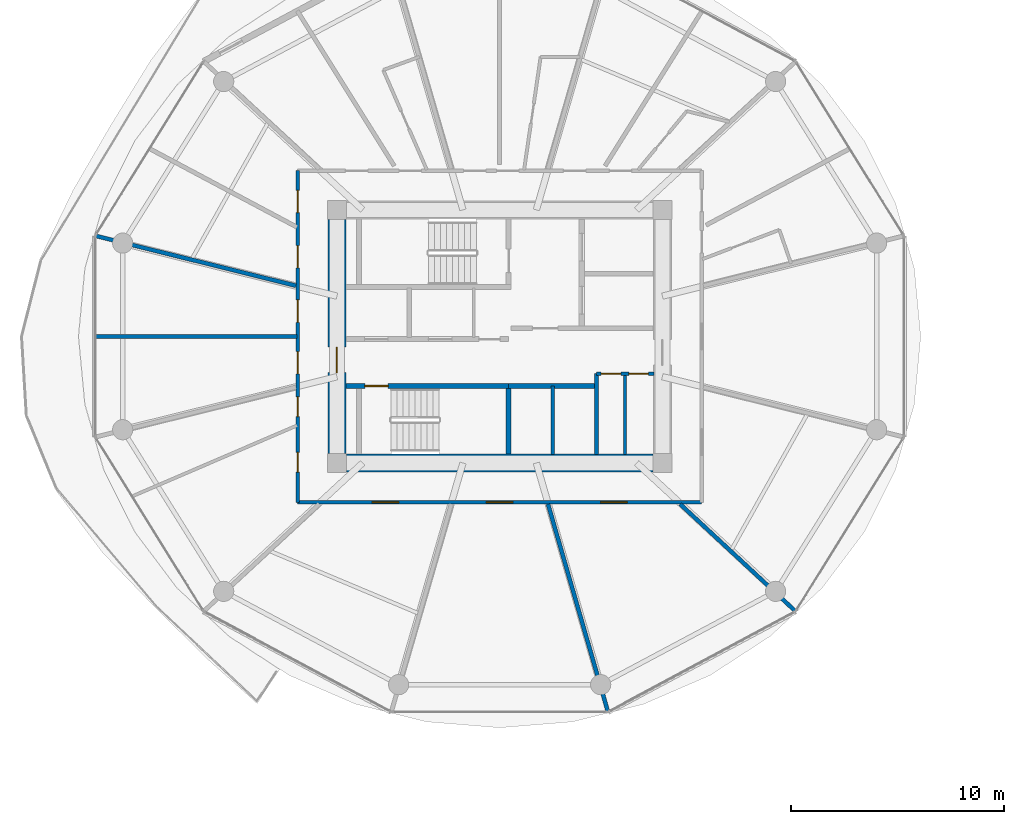
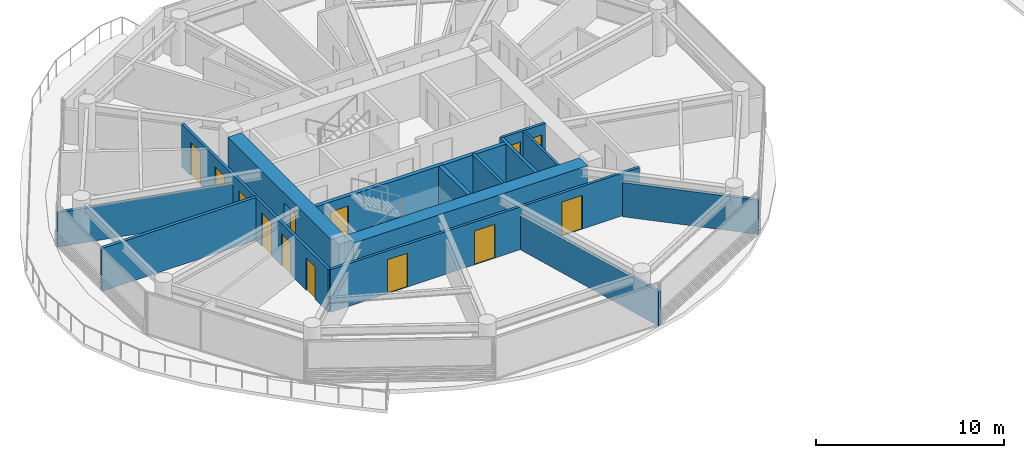
# One storey, part 15 of 27: 15 walls, 13 doors, 13 openings.
"""IFC4 building model written with IfcOpenShell, lengths in metres."""

import ifcopenshell
import ifcopenshell.guid

model = None  # the IFC model being written
_history = None  # IfcOwnerHistory: only IFC2X3 demands one
_inside = {}  # id of a spatial element -> (the spatial element, [elements in it])
_under = {}  # id of a project, library or spatial element -> (it, [spatial elements below it])
_declared = {}  # id of a project -> (the project, [libraries it declares])
_typed = {}  # id of a type object -> (the type object, [elements of that type])
_made_of = {}  # id of a material, layer set ... -> (it, [elements and type objects made of it])


def new_model(schema):
    """Start an empty IFC model of exactly this schema.

    Asked for "IFC4X3", IfcOpenShell would pick the latest addendum, in which some entities
    have other attributes; the version numbers below select the first issue.
    IFC2X3 requires an IfcOwnerHistory on every rooted entity: one is made here for all.
    """
    global model, _history
    if schema == "IFC4X3":
        model = ifcopenshell.file(schema_version=(4, 3, 0, 0))
    else:
        model = ifcopenshell.file(schema=schema)
    _inside.clear()
    _under.clear()
    _declared.clear()
    _typed.clear()
    _made_of.clear()
    _history = None
    if model.schema == "IFC2X3":
        org = make("IfcOrganization", Name="unknown")
        user = make(
            "IfcPersonAndOrganization",
            ThePerson=make("IfcPerson", FamilyName="unknown"),
            TheOrganization=org,
        )
        app = make(
            "IfcApplication",
            ApplicationDeveloper=org,
            Version="unknown",
            ApplicationFullName="unknown",
            ApplicationIdentifier="unknown",
        )
        _history = make(
            "IfcOwnerHistory",
            OwningUser=user,
            OwningApplication=app,
            ChangeAction="ADDED",
            CreationDate=0,
        )
    return model


def make(cls, **values):
    """One entity of the class cls with the attributes given. An attribute that is None is left unset."""
    return model.create_entity(
        cls, **{name: value for name, value in values.items() if value is not None}
    )


def rooted(cls, **values):
    """An entity with a GlobalId (a new one), such as an element, a storey or a relation."""
    return make(cls, GlobalId=ifcopenshell.guid.new(), OwnerHistory=_history, **values)


def si_unit(unit_type, name, prefix=None):
    """IfcSIUnit, for example si_unit("LENGTHUNIT", "METRE", prefix="MILLI")."""
    return make("IfcSIUnit", UnitType=unit_type, Prefix=prefix, Name=name)


def assignment(units):
    """IfcUnitAssignment: the units of a project."""
    return None if units is None else make("IfcUnitAssignment", Units=units)


def point(xyz):
    """IfcCartesianPoint."""
    return None if xyz is None else make("IfcCartesianPoint", Coordinates=xyz)


def direction(xyz):
    """IfcDirection."""
    return None if xyz is None else make("IfcDirection", DirectionRatios=xyz)


def frame(location, z_axis=None, x_axis=None):
    """IfcAxis2Placement3D, a coordinate frame: its origin and axes. An axis left out is left unset."""
    return make(
        "IfcAxis2Placement3D",
        Location=point(location),
        Axis=direction(z_axis),
        RefDirection=direction(x_axis),
    )


def frame_2d(location, x_axis=None):
    """IfcAxis2Placement2D, a coordinate frame in the plane: its origin and x axis."""
    return make(
        "IfcAxis2Placement2D", Location=point(location), RefDirection=direction(x_axis)
    )


def origin():
    """The frame at (0, 0, 0) with its axes left unset."""
    return frame((0.0, 0.0, 0.0))


def place(relative_to, where):
    """IfcLocalPlacement: puts the frame where relative to a parent placement (None: the world)."""
    return make(
        "IfcLocalPlacement", PlacementRelTo=relative_to, RelativePlacement=where
    )


def context(
    kind, dimensions, precision=None, world=None, true_north=None, identifier=None
):
    """IfcGeometricRepresentationContext, for example the 3D "Model" context."""
    return make(
        "IfcGeometricRepresentationContext",
        ContextIdentifier=identifier,
        ContextType=kind,
        CoordinateSpaceDimension=dimensions,
        Precision=precision,
        WorldCoordinateSystem=world,
        TrueNorth=true_north,
    )


def subcontext(parent, identifier, kind, view, scale=None):
    """IfcGeometricRepresentationSubContext, for example "Body" below "Model"."""
    return make(
        "IfcGeometricRepresentationSubContext",
        ContextIdentifier=identifier,
        ContextType=kind,
        ParentContext=parent,
        TargetScale=scale,
        TargetView=view,
    )


def project(units=None, contexts=None):
    """IfcProject with its units and contexts."""
    return rooted(
        "IfcProject",
        Name="project",
        RepresentationContexts=contexts,
        UnitsInContext=assignment(units),
    )


def spatial(cls, under=None, at=None, **own):
    """A site, building, storey or space (cls), placed at a placement, below another one or the project."""
    s = rooted(cls, ObjectPlacement=at, **own)
    if under is not None:
        _under.setdefault(under.id(), (under, []))[1].append(s)
    return s


def profile(cls, at=None, kind="AREA", **sizes):
    """A parametric profile (cls). Its sizes go by their IFC names, for example OverallWidth=200.0."""
    return make(cls, ProfileType=kind, Position=at, **sizes)


def rectangle(**sizes):
    """IfcRectangleProfileDef."""
    return profile("IfcRectangleProfileDef", **sizes)


def extrude(swept, where, along, depth):
    """IfcExtrudedAreaSolid: the profile swept, set in the frame where, extruded along a direction by depth."""
    return make(
        "IfcExtrudedAreaSolid",
        SweptArea=swept,
        Position=where,
        ExtrudedDirection=direction(along),
        Depth=depth,
    )


def shape(context_of_items, identifier, shape_type, items):
    """IfcShapeRepresentation: the items that make up one representation, for example the "Body"."""
    return make(
        "IfcShapeRepresentation",
        ContextOfItems=context_of_items,
        RepresentationIdentifier=identifier,
        RepresentationType=shape_type,
        Items=items,
    )


def source(mapping_origin, context_of_items, identifier, shape_type, items):
    """IfcRepresentationMap: a shape defined once, which mapped items show again and again."""
    return make(
        "IfcRepresentationMap",
        MappingOrigin=mapping_origin,
        MappedRepresentation=shape(context_of_items, identifier, shape_type, items),
    )


def transform(
    local_origin,
    x_axis=None,
    y_axis=None,
    z_axis=None,
    scale=None,
    scale2=None,
    scale3=None,
    uniform=True,
):
    """IfcCartesianTransformationOperator3D, or its non-uniform kind. x_axis, y_axis, z_axis: its Axis1, 2, 3."""
    if uniform:
        return make(
            "IfcCartesianTransformationOperator3D",
            Axis1=direction(x_axis),
            Axis2=direction(y_axis),
            LocalOrigin=point(local_origin),
            Scale=scale,
            Axis3=direction(z_axis),
        )
    return make(
        "IfcCartesianTransformationOperator3DnonUniform",
        Axis1=direction(x_axis),
        Axis2=direction(y_axis),
        LocalOrigin=point(local_origin),
        Scale=scale,
        Axis3=direction(z_axis),
        Scale2=scale2,
        Scale3=scale3,
    )


def mapped(mapping_source, mapping_target):
    """IfcMappedItem: shows the shape of a source again, moved by a transform."""
    return make(
        "IfcMappedItem", MappingSource=mapping_source, MappingTarget=mapping_target
    )


def material(Name=None, Category=None):
    """IfcMaterial."""
    return make("IfcMaterial", Name=Name, Category=Category)


def layer(
    of_material, thickness, ventilated=None, Name=None, Category=None, Priority=None
):
    """IfcMaterialLayer: one layer of a wall or slab, of a material (None: an air gap)."""
    return make(
        "IfcMaterialLayer",
        Material=of_material,
        LayerThickness=thickness,
        IsVentilated=ventilated,
        Name=Name,
        Category=Category,
        Priority=Priority,
    )


def layer_set(layers, Name=None):
    """IfcMaterialLayerSet."""
    return make("IfcMaterialLayerSet", MaterialLayers=layers, LayerSetName=Name)


def made_of(thing, what):
    """Note that an element or type object is made of a material, layer set ...; save() writes the relation."""
    if what is not None:
        _made_of.setdefault(what.id(), (what, []))[1].append(thing)
    return thing


def type_object(cls, material=None, **own):
    """A type object (cls), such as IfcWallType, which elements share."""
    return made_of(rooted(cls, **own), material)


def type_shapes(of_type, sources):
    """Give a type object the sources (RepresentationMaps) that its elements show as mapped items."""
    of_type.RepresentationMaps = sources


def element(
    cls,
    number,
    at=None,
    inside=None,
    cuts=None,
    type_object=None,
    material=None,
    context=None,
    identifier="Body",
    shape_type=None,
    held_by="IfcProductDefinitionShape",
    body=None,
    shapes=None,
    **own,
):
    """One element of the class cls, such as IfcWall. Its Tag is "e" and its number.

    at: its placement. inside: the storey or other place that contains it. cuts: it is an
    opening in that element (IfcRelVoidsElement). A single representation is given by context,
    identifier, shape_type and body (its items); several are given by shapes. held_by: the class
    of the entity that holds the representations. save() writes the other relations.
    """
    e = rooted(cls, Tag="e%d" % number, ObjectPlacement=at, **own)
    if body is not None:
        shapes = [shape(context, identifier, shape_type, body)]
    if shapes is not None:
        e.Representation = make(held_by, Representations=shapes)
    if inside is not None:
        _inside.setdefault(inside.id(), (inside, []))[1].append(e)
    if cuts is not None:
        rooted(
            "IfcRelVoidsElement", RelatingBuildingElement=cuts, RelatedOpeningElement=e
        )
    if type_object is not None:
        _typed.setdefault(type_object.id(), (type_object, []))[1].append(e)
    return made_of(e, material)


def fill(opening, filler):
    """IfcRelFillsElement: the door or window that sits in an opening."""
    return rooted(
        "IfcRelFillsElement",
        RelatingOpeningElement=opening,
        RelatedBuildingElement=filler,
    )


def aggregate(whole, parts):
    """IfcRelAggregates: a whole, such as a stair, and the parts it consists of."""
    return rooted("IfcRelAggregates", RelatingObject=whole, RelatedObjects=parts)


def save(model, path):
    """Write the relations noted so far, then the file.

    IfcRelAggregates (storeys below a building ...), IfcRelContainedInSpatialStructure (elements
    in a storey), IfcRelDefinesByType, IfcRelAssociatesMaterial and IfcRelDeclares: one each for
    every whole, place, type object, material and project.
    """
    for whole, parts in _under.values():
        aggregate(whole, parts)
    for where, things in _inside.values():
        rooted(
            "IfcRelContainedInSpatialStructure",
            RelatedElements=things,
            RelatingStructure=where,
        )
    for kind, things in _typed.values():
        rooted("IfcRelDefinesByType", RelatedObjects=things, RelatingType=kind)
    for what, things in _made_of.values():
        rooted("IfcRelAssociatesMaterial", RelatedObjects=things, RelatingMaterial=what)
    for by, libraries in _declared.values():
        rooted("IfcRelDeclares", RelatingContext=by, RelatedDefinitions=libraries)
    model.write(path)


model = new_model("IFC4")

# Units and contexts
model_context = context("Model", 3, precision=1e-05, world=origin(), true_north=direction((0.0, 1.0)))
body_context = subcontext(model_context, "Body", "Model", "MODEL_VIEW")
ifc_project = project(units=[si_unit("LENGTHUNIT", "METRE"), si_unit("AREAUNIT", "SQUARE_METRE"), si_unit("VOLUMEUNIT", "CUBIC_METRE"), si_unit("PLANEANGLEUNIT", "RADIAN"), si_unit("MASSUNIT", "GRAM", prefix="KILO")], contexts=[model_context])

# Site, building, storey
site_placement = place(None, origin())
site = spatial("IfcSite", under=ifc_project, at=site_placement, CompositionType="ELEMENT")
building_placement = place(site_placement, origin())
building = spatial("IfcBuilding", under=site, at=building_placement, Name="Norrkilde Senior Care Towers", CompositionType="ELEMENT")
storey_placement = place(building_placement, frame((0.0, 0.0, 33.800048828125)))
storey = spatial("IfcBuildingStorey", under=building, at=storey_placement, Name="L09", CompositionType="ELEMENT", Elevation=33.800048828125)

# Wall
ifc_material_1 = material(Name="Concrete C60/75", Category="concrete")
ifc_layer_1 = layer(ifc_material_1, 0.85009765625)
ifc_layer_set_1 = layer_set([ifc_layer_1], Name="Concrete C60/75")
wall_type_1 = type_object("IfcWallType", Name="Core Shear Wall Z1 850", PredefinedType="SHEAR", material=ifc_layer_set_1)
shared_shape_1 = source(origin(), body_context, "Body", "SweptSolid", [
    extrude(rectangle(XDim=14.39990234375, YDim=0.85009765625, at=frame_2d((7.199951171875, 0.0))), origin(), (0.0, 0.0, 1.0), 2.7900390625),
])
wall_1_placement = place(storey_placement, frame((-20.800048828125, -5.949951171875, 0.0), z_axis=(0.0, 0.0, 1.0), x_axis=(-1.0, 0.0, 0.0)))
element("IfcWall", 1, at=wall_1_placement, inside=storey, type_object=wall_type_1, Name="L09 Core W South Shear Wall", PredefinedType="SHEAR", context=body_context, shape_type="MappedRepresentation", body=[
    mapped(shared_shape_1, transform((0.0, 0.0, 0.0), x_axis=(1.0, 0.0, 0.0), y_axis=(0.0, 1.0, 0.0), z_axis=(0.0, 0.0, 1.0), scale=1.0)),
])

# Wall, opening, door
shared_shape_2 = source(origin(), body_context, "Body", "SweptSolid", [
    extrude(rectangle(XDim=11.0, YDim=0.85009765625, at=frame_2d((5.5, 0.0))), origin(), (0.0, 0.0, 1.0), 2.7900390625),
])
type_shapes(wall_type_1, [shared_shape_1, shared_shape_2])
wall_2_placement = place(storey_placement, frame((-35.64990234375, -5.5, 0.0), z_axis=(0.0, 0.0, 1.0), x_axis=(0.0, 1.0, 0.0)))
wall_2 = element("IfcWall", 2, at=wall_2_placement, inside=storey, type_object=wall_type_1, Name="L09 Core W West Shear Wall", PredefinedType="SHEAR", context=body_context, shape_type="MappedRepresentation", body=[
    mapped(shared_shape_2, transform((0.0, 0.0, 0.0), x_axis=(1.0, 0.0, 0.0), y_axis=(0.0, 1.0, 0.0), z_axis=(0.0, 0.0, 1.0), scale=1.0)),
])
opening_1_placement = place(wall_2_placement, frame((3.800048828125, 0.0, 0.0)))
opening_1 = element("IfcOpeningElement", 3, at=opening_1_placement, cuts=wall_2, Name="Opening D-04", PredefinedType="OPENING", context=body_context, shape_type="SweptSolid", body=[
    extrude(rectangle(XDim=1.199951171875, YDim=2.14990234375, at=frame_2d((0.60009765625, 1.074951171875))), frame((0.0, 0.43505859375, 0.0), z_axis=(0.0, -1.0, 0.0), x_axis=(1.0, 0.0, 0.0)), (0.0, 0.0, 1.0), 0.8701171875),
])
ifc_material_2 = material(Name="Galvanised Painted Steel", Category="steel")
door_type_1 = type_object("IfcDoorType", Name="Firefighting Lobby Fire Door 1200x2150", OperationType="NOTDEFINED", PredefinedType="DOOR", material=ifc_material_2)
shared_shape_3 = source(origin(), body_context, "Body", "SweptSolid", [
    extrude(rectangle(XDim=1.199951171875, YDim=2.14990234375, at=frame_2d((0.60009765625, 1.074951171875))), frame((0.0, 0.02490234375, 0.0), z_axis=(0.0, -1.0, 0.0), x_axis=(1.0, 0.0, 0.0)), (0.0, 0.0, 1.0), 0.050048828125),
])
type_shapes(door_type_1, [shared_shape_3])
door_1_placement = place(opening_1_placement, frame((1.199951171875, 0.0, 0.0), z_axis=(0.0, 0.0, 1.0), x_axis=(-1.0, 0.0, 0.0)))
door_1 = element("IfcDoor", 4, at=door_1_placement, inside=storey, type_object=door_type_1, Name="L09 Core W West Portal Door", OperationType="SINGLE_SWING_LEFT", OverallHeight=2.14990234375, OverallWidth=1.199951171875, PredefinedType="DOOR", context=body_context, shape_type="MappedRepresentation", body=[
    mapped(shared_shape_3, transform((0.0, 0.0, 0.0), x_axis=(1.0, 0.0, 0.0), y_axis=(0.0, 1.0, 0.0), z_axis=(0.0, 0.0, 1.0), scale=1.0)),
])
fill(opening_1, door_1)

# Walls
ifc_material_3 = material(Name="Concrete C45/55", Category="concrete")
ifc_layer_2 = layer(ifc_material_3, 0.199951171875)
ifc_layer_set_2 = layer_set([ifc_layer_2], Name="Concrete C45/55")
wall_type_2 = type_object("IfcWallType", Name="Shaft Division and Plant Partition 200", PredefinedType="PARTITIONING", material=ifc_layer_set_2)
shared_shape_4 = source(origin(), body_context, "Body", "SweptSolid", [
    extrude(rectangle(XDim=3.800048828125, YDim=0.199951171875, at=frame_2d((1.89990234375, 0.0))), origin(), (0.0, 0.0, 1.0), 2.77490234375),
])
type_shapes(wall_type_2, [shared_shape_4])
wall_3_placement = place(storey_placement, frame((-23.449951171875, -5.550048828125, 0.0), z_axis=(0.0, 0.0, 1.0), x_axis=(0.0, 1.0, 0.0)))
element("IfcWall", 5, at=wall_3_placement, inside=storey, type_object=wall_type_2, Name="WL-INT-L09-W-PKBE", PredefinedType="PARTITIONING", context=body_context, shape_type="MappedRepresentation", body=[
    mapped(shared_shape_4, transform((0.0, 0.0, 0.0), x_axis=(1.0, 0.0, 0.0), y_axis=(0.0, 1.0, 0.0), z_axis=(0.0, 0.0, 1.0), scale=1.0)),
])
ifc_layer_3 = layer(ifc_material_3, 0.239990234375)
ifc_layer_set_3 = layer_set([ifc_layer_3], Name="Concrete C45/55")
wall_type_3 = type_object("IfcWallType", Name="Lift and Plant Rated Enclosure Partition 240", PredefinedType="PARTITIONING", material=ifc_layer_set_3)
shared_shape_5 = source(origin(), body_context, "Body", "SweptSolid", [
    extrude(rectangle(XDim=4.130126953125, YDim=0.239990234375, at=frame_2d((2.06494140625, 0.0))), origin(), (0.0, 0.0, 1.0), 2.77490234375),
])
type_shapes(wall_type_3, [shared_shape_5])
wall_4_placement = place(storey_placement, frame((-27.580078125, -2.330078125, 0.0), z_axis=(0.0, 0.0, 1.0), x_axis=(1.0, 0.0, 0.0)))
element("IfcWall", 6, at=wall_4_placement, inside=storey, type_object=wall_type_3, Name="WL-INT-L09-W-PKBN", PredefinedType="PARTITIONING", context=body_context, shape_type="MappedRepresentation", body=[
    mapped(shared_shape_5, transform((0.0, 0.0, 0.0), x_axis=(1.0, 0.0, 0.0), y_axis=(0.0, 1.0, 0.0), z_axis=(0.0, 0.0, 1.0), scale=1.0)),
])
ifc_layer_4 = layer(ifc_material_3, 0.179931640625)
ifc_layer_set_4 = layer_set([ifc_layer_4], Name="Concrete C45/55")
wall_type_4 = type_object("IfcWallType", Name="Hoistway Division Rated Partition 180", PredefinedType="PARTITIONING", material=ifc_layer_set_4)
shared_shape_6 = source(origin(), body_context, "Body", "SweptSolid", [
    extrude(rectangle(XDim=3.219970703125, YDim=0.179931640625, at=frame_2d((1.60986328125, 0.0))), origin(), (0.0, 0.0, 1.0), 2.77490234375),
])
type_shapes(wall_type_4, [shared_shape_6])
wall_5_placement = place(storey_placement, frame((-25.5, -5.550048828125, 0.0), z_axis=(0.0, 0.0, 1.0), x_axis=(0.0, 1.0, 0.0)))
element("IfcWall", 7, at=wall_5_placement, inside=storey, type_object=wall_type_4, Name="WL-INT-L09-W-PL34", PredefinedType="PARTITIONING", context=body_context, shape_type="MappedRepresentation", body=[
    mapped(shared_shape_6, transform((0.0, 0.0, 0.0), x_axis=(1.0, 0.0, 0.0), y_axis=(0.0, 1.0, 0.0), z_axis=(0.0, 0.0, 1.0), scale=1.0)),
])

# Wall, openings, doors
ifc_material_4 = material(Name="Gypsum Acoustic Board")
ifc_layer_5 = layer(ifc_material_4, 0.1650390625)
ifc_layer_set_5 = layer_set([ifc_layer_5], Name="Gypsum Acoustic Board")
wall_type_5 = type_object("IfcWallType", Name="Corridor Rated Partition 165", PredefinedType="PARTITIONING", material=ifc_layer_set_5)
shared_shape_7 = source(origin(), body_context, "Body", "SweptSolid", [
    extrude(rectangle(XDim=2.699951171875, YDim=0.1650390625, at=frame_2d((1.35009765625, 0.0))), origin(), (0.0, 0.0, 1.0), 2.77490234375),
])
wall_6_placement = place(storey_placement, frame((-23.449951171875, -1.75, 0.0), z_axis=(0.0, 0.0, 1.0), x_axis=(1.0, 0.0, 0.0)))
wall_6 = element("IfcWall", 8, at=wall_6_placement, inside=storey, type_object=wall_type_5, Name="WL-INT-L09-W-CSN", PredefinedType="PARTITIONING", context=body_context, shape_type="MappedRepresentation", body=[
    mapped(shared_shape_7, transform((0.0, 0.0, 0.0), x_axis=(1.0, 0.0, 0.0), y_axis=(0.0, 1.0, 0.0), z_axis=(0.0, 0.0, 1.0), scale=1.0)),
])
opening_2_placement = place(wall_6_placement, frame((0.222412109375, 0.0, 0.0)))
opening_2 = element("IfcOpeningElement", 9, at=opening_2_placement, cuts=wall_6, Name="Opening D-12", PredefinedType="OPENING", context=body_context, shape_type="SweptSolid", body=[
    extrude(rectangle(XDim=0.925048828125, YDim=2.10009765625, at=frame_2d((0.46240234375, 1.050048828125))), frame((0.0, 0.092529296875, 0.0), z_axis=(0.0, -1.0, 0.0), x_axis=(1.0, 0.0, 0.0)), (0.0, 0.0, 1.0), 0.18505859375),
])
opening_3_placement = place(wall_6_placement, frame((1.5224609375, 0.0, 0.0)))
opening_3 = element("IfcOpeningElement", 10, at=opening_3_placement, cuts=wall_6, Name="Opening D-12", PredefinedType="OPENING", context=body_context, shape_type="SweptSolid", body=[
    extrude(rectangle(XDim=0.925048828125, YDim=2.10009765625, at=frame_2d((0.46240234375, 1.050048828125))), frame((0.0, 0.092529296875, 0.0), z_axis=(0.0, -1.0, 0.0), x_axis=(1.0, 0.0, 0.0)), (0.0, 0.0, 1.0), 0.18505859375),
])
door_type_2 = type_object("IfcDoorType", Name="Core Wet Room Rated Door 925x2100", OperationType="NOTDEFINED", PredefinedType="DOOR", material=ifc_material_2)
shared_shape_8 = source(origin(), body_context, "Body", "SweptSolid", [
    extrude(rectangle(XDim=0.925048828125, YDim=2.10009765625, at=frame_2d((0.46240234375, 1.050048828125))), frame((0.0, 0.02490234375, 0.0), z_axis=(0.0, -1.0, 0.0), x_axis=(1.0, 0.0, 0.0)), (0.0, 0.0, 1.0), 0.050048828125),
])
type_shapes(door_type_2, [shared_shape_8])
door_2_placement = place(opening_2_placement, origin())
door_2 = element("IfcDoor", 11, at=door_2_placement, inside=storey, type_object=door_type_2, Name="L09 Staff Accessible WC W Door", OperationType="SINGLE_SWING_LEFT", OverallHeight=2.10009765625, OverallWidth=0.925048828125, PredefinedType="DOOR", context=body_context, shape_type="MappedRepresentation", body=[
    mapped(shared_shape_8, transform((0.0, 0.0, 0.0), x_axis=(1.0, 0.0, 0.0), y_axis=(0.0, 1.0, 0.0), z_axis=(0.0, 0.0, 1.0), scale=1.0)),
])
fill(opening_2, door_2)
door_3_placement = place(opening_3_placement, origin())
door_3 = element("IfcDoor", 12, at=door_3_placement, inside=storey, type_object=door_type_2, Name="L09 Housekeeping Store W Door", OperationType="SINGLE_SWING_RIGHT", OverallHeight=2.10009765625, OverallWidth=0.925048828125, PredefinedType="DOOR", context=body_context, shape_type="MappedRepresentation", body=[
    mapped(shared_shape_8, transform((0.0, 0.0, 0.0), x_axis=(1.0, 0.0, 0.0), y_axis=(0.0, 1.0, 0.0), z_axis=(0.0, 0.0, 1.0), scale=1.0)),
])
fill(opening_3, door_3)

shared_shape_9 = source(origin(), body_context, "Body", "SweptSolid", [
    extrude(rectangle(XDim=19.0, YDim=0.1650390625, at=frame_2d((9.5, 0.0))), origin(), (0.0, 0.0, 1.0), 2.77490234375),
])
wall_7_placement = place(storey_placement, frame((-18.5, -7.800048828125, 0.0), z_axis=(0.0, 0.0, 1.0), x_axis=(-1.0, 0.0, 0.0)))
wall_7 = element("IfcWall", 13, at=wall_7_placement, inside=storey, type_object=wall_type_5, Name="WL-INT-L09-W-CRW-S-0", PredefinedType="PARTITIONING", context=body_context, shape_type="MappedRepresentation", body=[
    mapped(shared_shape_9, transform((0.0, 0.0, 0.0), x_axis=(1.0, 0.0, 0.0), y_axis=(0.0, 1.0, 0.0), z_axis=(0.0, 0.0, 1.0), scale=1.0)),
])
opening_4_placement = place(wall_7_placement, frame((14.244384765625, 0.0, 0.0)))
opening_4 = element("IfcOpeningElement", 14, at=opening_4_placement, cuts=wall_7, Name="Opening D-05", PredefinedType="OPENING", context=body_context, shape_type="SweptSolid", body=[
    extrude(rectangle(XDim=1.25, YDim=2.199951171875, at=frame_2d((0.625, 1.10009765625))), frame((0.0, 0.092529296875, 0.0), z_axis=(0.0, -1.0, 0.0), x_axis=(1.0, 0.0, 0.0)), (0.0, 0.0, 1.0), 0.18505859375),
])
opening_5_placement = place(wall_7_placement, frame((8.875, 0.0, 0.0)))
opening_5 = element("IfcOpeningElement", 15, at=opening_5_placement, cuts=wall_7, Name="Opening D-05", PredefinedType="OPENING", context=body_context, shape_type="SweptSolid", body=[
    extrude(rectangle(XDim=1.25, YDim=2.199951171875, at=frame_2d((0.625, 1.10009765625))), frame((0.0, 0.092529296875, 0.0), z_axis=(0.0, -1.0, 0.0), x_axis=(1.0, 0.0, 0.0)), (0.0, 0.0, 1.0), 0.18505859375),
])
opening_6_placement = place(wall_7_placement, frame((3.505615234375, 0.0, 0.0)))
opening_6 = element("IfcOpeningElement", 16, at=opening_6_placement, cuts=wall_7, Name="Opening D-05", PredefinedType="OPENING", context=body_context, shape_type="SweptSolid", body=[
    extrude(rectangle(XDim=1.25, YDim=2.199951171875, at=frame_2d((0.625, 1.10009765625))), frame((0.0, 0.092529296875, 0.0), z_axis=(0.0, -1.0, 0.0), x_axis=(1.0, 0.0, 0.0)), (0.0, 0.0, 1.0), 0.18505859375),
])
ifc_material_5 = material(Name="Nordic Ash Timber", Category="wood")
door_type_3 = type_object("IfcDoorType", Name="Care Bedroom Bariatric Door 1250x2200", OperationType="NOTDEFINED", PredefinedType="DOOR", material=ifc_material_5)
shared_shape_10 = source(origin(), body_context, "Body", "SweptSolid", [
    extrude(rectangle(XDim=1.25, YDim=2.199951171875, at=frame_2d((0.625, 1.10009765625))), frame((0.0, 0.02490234375, 0.0), z_axis=(0.0, -1.0, 0.0), x_axis=(1.0, 0.0, 0.0)), (0.0, 0.0, 1.0), 0.050048828125),
])
type_shapes(door_type_3, [shared_shape_10])
door_4_placement = place(opening_4_placement, frame((1.25, 0.0, 0.0), z_axis=(0.0, 0.0, 1.0), x_axis=(-1.0, 0.0, 0.0)))
door_4 = element("IfcDoor", 17, at=door_4_placement, inside=storey, type_object=door_type_3, Name="L09 Resident Therapeutic Day Lounge Door", OperationType="SINGLE_SWING_RIGHT", OverallHeight=2.199951171875, OverallWidth=1.25, PredefinedType="DOOR", context=body_context, shape_type="MappedRepresentation", body=[
    mapped(shared_shape_10, transform((0.0, 0.0, 0.0), x_axis=(1.0, 0.0, 0.0), y_axis=(0.0, 1.0, 0.0), z_axis=(0.0, 0.0, 1.0), scale=1.0)),
])
fill(opening_4, door_4)
door_5_placement = place(opening_5_placement, frame((1.25, 0.0, 0.0), z_axis=(0.0, 0.0, 1.0), x_axis=(-1.0, 0.0, 0.0)))
door_5 = element("IfcDoor", 18, at=door_5_placement, inside=storey, type_object=door_type_3, Name="L09 Household Therapeutic Kitchen Door", OperationType="SINGLE_SWING_LEFT", OverallHeight=2.199951171875, OverallWidth=1.25, PredefinedType="DOOR", context=body_context, shape_type="MappedRepresentation", body=[
    mapped(shared_shape_10, transform((0.0, 0.0, 0.0), x_axis=(1.0, 0.0, 0.0), y_axis=(0.0, 1.0, 0.0), z_axis=(0.0, 0.0, 1.0), scale=1.0)),
])
fill(opening_5, door_5)
door_6_placement = place(opening_6_placement, frame((1.25, 0.0, 0.0), z_axis=(0.0, 0.0, 1.0), x_axis=(-1.0, 0.0, 0.0)))
door_6 = element("IfcDoor", 19, at=door_6_placement, inside=storey, type_object=door_type_3, Name="L09 Household Communal Dining Salon Door", OperationType="SINGLE_SWING_RIGHT", OverallHeight=2.199951171875, OverallWidth=1.25, PredefinedType="DOOR", context=body_context, shape_type="MappedRepresentation", body=[
    mapped(shared_shape_10, transform((0.0, 0.0, 0.0), x_axis=(1.0, 0.0, 0.0), y_axis=(0.0, 1.0, 0.0), z_axis=(0.0, 0.0, 1.0), scale=1.0)),
])
fill(opening_6, door_6)

shared_shape_11 = source(origin(), body_context, "Body", "SweptSolid", [
    extrude(rectangle(XDim=15.60009765625, YDim=0.1650390625, at=frame_2d((7.800048828125, 0.0))), origin(), (0.0, 0.0, 1.0), 2.77490234375),
])
type_shapes(wall_type_5, [shared_shape_7, shared_shape_9, shared_shape_11])
wall_8_placement = place(storey_placement, frame((-37.5, -7.800048828125, 0.0), z_axis=(0.0, 0.0, 1.0), x_axis=(0.0, 1.0, 0.0)))
wall_8 = element("IfcWall", 20, at=wall_8_placement, inside=storey, type_object=wall_type_5, Name="WL-INT-L09-W-CRW-W-0", PredefinedType="PARTITIONING", context=body_context, shape_type="MappedRepresentation", body=[
    mapped(shared_shape_11, transform((0.0, 0.0, 0.0), x_axis=(1.0, 0.0, 0.0), y_axis=(0.0, 1.0, 0.0), z_axis=(0.0, 0.0, 1.0), scale=1.0)),
])
opening_7_placement = place(wall_8_placement, frame((13.623046875, 0.0, 0.0)))
opening_7 = element("IfcOpeningElement", 21, at=opening_7_placement, cuts=wall_8, Name="Opening D-06", PredefinedType="OPENING", context=body_context, shape_type="SweptSolid", body=[
    extrude(rectangle(XDim=1.050048828125, YDim=2.14990234375, at=frame_2d((0.52490234375, 1.074951171875))), frame((0.0, 0.092529296875, 0.0), z_axis=(0.0, -1.0, 0.0), x_axis=(1.0, 0.0, 0.0)), (0.0, 0.0, 1.0), 0.18505859375),
])
opening_8_placement = place(wall_8_placement, frame((11.017578125, 0.0, 0.0)))
opening_8 = element("IfcOpeningElement", 22, at=opening_8_placement, cuts=wall_8, Name="Opening D-06", PredefinedType="OPENING", context=body_context, shape_type="SweptSolid", body=[
    extrude(rectangle(XDim=1.050048828125, YDim=2.14990234375, at=frame_2d((0.52490234375, 1.074951171875))), frame((0.0, 0.092529296875, 0.0), z_axis=(0.0, -1.0, 0.0), x_axis=(1.0, 0.0, 0.0)), (0.0, 0.0, 1.0), 0.18505859375),
])
opening_9_placement = place(wall_8_placement, frame((8.467041015625, 0.0, 0.0)))
opening_9 = element("IfcOpeningElement", 23, at=opening_9_placement, cuts=wall_8, Name="Opening D-06", PredefinedType="OPENING", context=body_context, shape_type="SweptSolid", body=[
    extrude(rectangle(XDim=1.050048828125, YDim=2.14990234375, at=frame_2d((0.52490234375, 1.074951171875))), frame((0.0, 0.092529296875, 0.0), z_axis=(0.0, -1.0, 0.0), x_axis=(1.0, 0.0, 0.0)), (0.0, 0.0, 1.0), 0.18505859375),
])
opening_10_placement = place(wall_8_placement, frame((6.03466796875, 0.0, 0.0)))
opening_10 = element("IfcOpeningElement", 24, at=opening_10_placement, cuts=wall_8, Name="Opening D-06", PredefinedType="OPENING", context=body_context, shape_type="SweptSolid", body=[
    extrude(rectangle(XDim=1.050048828125, YDim=2.14990234375, at=frame_2d((0.52490234375, 1.074951171875))), frame((0.0, 0.092529296875, 0.0), z_axis=(0.0, -1.0, 0.0), x_axis=(1.0, 0.0, 0.0)), (0.0, 0.0, 1.0), 0.18505859375),
])
opening_11_placement = place(wall_8_placement, frame((4.033935546875, 0.0, 0.0)))
opening_11 = element("IfcOpeningElement", 25, at=opening_11_placement, cuts=wall_8, Name="Opening D-08", PredefinedType="OPENING", context=body_context, shape_type="SweptSolid", body=[
    extrude(rectangle(XDim=0.919921875, YDim=2.10009765625, at=frame_2d((0.4599609375, 1.050048828125))), frame((0.0, 0.092529296875, 0.0), z_axis=(0.0, -1.0, 0.0), x_axis=(1.0, 0.0, 0.0)), (0.0, 0.0, 1.0), 0.18505859375),
])
opening_12_placement = place(wall_8_placement, frame((1.426025390625, 0.0, 0.0)))
opening_12 = element("IfcOpeningElement", 26, at=opening_12_placement, cuts=wall_8, Name="Opening D-08", PredefinedType="OPENING", context=body_context, shape_type="SweptSolid", body=[
    extrude(rectangle(XDim=0.919921875, YDim=2.10009765625, at=frame_2d((0.4599609375, 1.050048828125))), frame((0.0, 0.092529296875, 0.0), z_axis=(0.0, -1.0, 0.0), x_axis=(1.0, 0.0, 0.0)), (0.0, 0.0, 1.0), 0.18505859375),
])
door_type_4 = type_object("IfcDoorType", Name="Accessible Wet Room Door 920x2100", OperationType="NOTDEFINED", PredefinedType="DOOR", material=ifc_material_5)
shared_shape_12 = source(origin(), body_context, "Body", "SweptSolid", [
    extrude(rectangle(XDim=0.919921875, YDim=2.10009765625, at=frame_2d((0.4599609375, 1.050048828125))), frame((0.0, 0.02490234375, 0.0), z_axis=(0.0, -1.0, 0.0), x_axis=(1.0, 0.0, 0.0)), (0.0, 0.0, 1.0), 0.050048828125),
])
type_shapes(door_type_4, [shared_shape_12])
door_7_placement = place(opening_11_placement, frame((0.919921875, 0.0, 0.0), z_axis=(0.0, 0.0, 1.0), x_axis=(-1.0, 0.0, 0.0)))
door_7 = element("IfcDoor", 27, at=door_7_placement, inside=storey, type_object=door_type_4, Name="L09 Accessible Restroom Door", OperationType="SINGLE_SWING_LEFT", OverallHeight=2.10009765625, OverallWidth=0.919921875, PredefinedType="DOOR", context=body_context, shape_type="MappedRepresentation", body=[
    mapped(shared_shape_12, transform((0.0, 0.0, 0.0), x_axis=(1.0, 0.0, 0.0), y_axis=(0.0, 1.0, 0.0), z_axis=(0.0, 0.0, 1.0), scale=1.0)),
])
fill(opening_11, door_7)
door_8_placement = place(opening_12_placement, frame((0.919921875, 0.0, 0.0), z_axis=(0.0, 0.0, 1.0), x_axis=(-1.0, 0.0, 0.0)))
door_8 = element("IfcDoor", 28, at=door_8_placement, inside=storey, type_object=door_type_4, Name="L09 Public Restroom Door", OperationType="SINGLE_SWING_RIGHT", OverallHeight=2.10009765625, OverallWidth=0.919921875, PredefinedType="DOOR", context=body_context, shape_type="MappedRepresentation", body=[
    mapped(shared_shape_12, transform((0.0, 0.0, 0.0), x_axis=(1.0, 0.0, 0.0), y_axis=(0.0, 1.0, 0.0), z_axis=(0.0, 0.0, 1.0), scale=1.0)),
])
fill(opening_12, door_8)
door_type_5 = type_object("IfcDoorType", Name="Apartment Entrance Fire Door 1050x2150", OperationType="NOTDEFINED", PredefinedType="DOOR", material=ifc_material_5)
shared_shape_13 = source(origin(), body_context, "Body", "SweptSolid", [
    extrude(rectangle(XDim=1.050048828125, YDim=2.14990234375, at=frame_2d((0.52490234375, 1.074951171875))), frame((0.0, 0.02490234375, 0.0), z_axis=(0.0, -1.0, 0.0), x_axis=(1.0, 0.0, 0.0)), (0.0, 0.0, 1.0), 0.050048828125),
])
type_shapes(door_type_5, [shared_shape_13])
door_9_placement = place(opening_7_placement, frame((1.050048828125, 0.0, 0.0), z_axis=(0.0, 0.0, 1.0), x_axis=(-1.0, 0.0, 0.0)))
door_9 = element("IfcDoor", 29, at=door_9_placement, inside=storey, type_object=door_type_5, Name="L09 Physiotherapy Clinic 4A Door", OperationType="SINGLE_SWING_LEFT", OverallHeight=2.14990234375, OverallWidth=1.050048828125, PredefinedType="DOOR", context=body_context, shape_type="MappedRepresentation", body=[
    mapped(shared_shape_13, transform((0.0, 0.0, 0.0), x_axis=(1.0, 0.0, 0.0), y_axis=(0.0, 1.0, 0.0), z_axis=(0.0, 0.0, 1.0), scale=1.0)),
])
fill(opening_7, door_9)
door_10_placement = place(opening_8_placement, frame((1.050048828125, 0.0, 0.0), z_axis=(0.0, 0.0, 1.0), x_axis=(-1.0, 0.0, 0.0)))
door_10 = element("IfcDoor", 30, at=door_10_placement, inside=storey, type_object=door_type_5, Name="L09 Assessment Clinic 4B Door", OperationType="SINGLE_SWING_RIGHT", OverallHeight=2.14990234375, OverallWidth=1.050048828125, PredefinedType="DOOR", context=body_context, shape_type="MappedRepresentation", body=[
    mapped(shared_shape_13, transform((0.0, 0.0, 0.0), x_axis=(1.0, 0.0, 0.0), y_axis=(0.0, 1.0, 0.0), z_axis=(0.0, 0.0, 1.0), scale=1.0)),
])
fill(opening_8, door_10)
door_11_placement = place(opening_9_placement, frame((1.050048828125, 0.0, 0.0), z_axis=(0.0, 0.0, 1.0), x_axis=(-1.0, 0.0, 0.0)))
door_11 = element("IfcDoor", 31, at=door_11_placement, inside=storey, type_object=door_type_5, Name="L09 Physiotherapy Clinic 5A Door", OperationType="SINGLE_SWING_RIGHT", OverallHeight=2.14990234375, OverallWidth=1.050048828125, PredefinedType="DOOR", context=body_context, shape_type="MappedRepresentation", body=[
    mapped(shared_shape_13, transform((0.0, 0.0, 0.0), x_axis=(1.0, 0.0, 0.0), y_axis=(0.0, 1.0, 0.0), z_axis=(0.0, 0.0, 1.0), scale=1.0)),
])
fill(opening_9, door_11)
door_12_placement = place(opening_10_placement, frame((1.050048828125, 0.0, 0.0), z_axis=(0.0, 0.0, 1.0), x_axis=(-1.0, 0.0, 0.0)))
door_12 = element("IfcDoor", 32, at=door_12_placement, inside=storey, type_object=door_type_5, Name="L09 Assessment Clinic 5B Door", OperationType="SINGLE_SWING_LEFT", OverallHeight=2.14990234375, OverallWidth=1.050048828125, PredefinedType="DOOR", context=body_context, shape_type="MappedRepresentation", body=[
    mapped(shared_shape_13, transform((0.0, 0.0, 0.0), x_axis=(1.0, 0.0, 0.0), y_axis=(0.0, 1.0, 0.0), z_axis=(0.0, 0.0, 1.0), scale=1.0)),
])
fill(opening_10, door_12)

# Walls
ifc_layer_6 = layer(ifc_material_4, 0.18994140625)
ifc_layer_set_6 = layer_set([ifc_layer_6], Name="Gypsum Acoustic Board")
wall_type_6 = type_object("IfcWallType", Name="Unit Demising Acoustic Wall 190", PredefinedType="PARTITIONING", material=ifc_layer_set_6)
shared_shape_14 = source(origin(), body_context, "Body", "SweptSolid", [
    extrude(rectangle(XDim=7.4345703125, YDim=0.18994140625, at=frame_2d((3.71728515625, 0.0))), origin(), (0.0, 0.0, 1.0), 2.224853515625),
])
wall_9_placement = place(storey_placement, frame((-19.51708984375, -7.8798828125, 0.0), z_axis=(0.0, 0.0, 1.0), x_axis=(0.732651956848, -0.680603489652, 0.0)))
element("IfcWall", 33, at=wall_9_placement, inside=storey, type_object=wall_type_6, Name="WL-INT-L09-W-DEM-10-0", PredefinedType="PARTITIONING", context=body_context, shape_type="MappedRepresentation", body=[
    mapped(shared_shape_14, transform((0.0, 0.0, 0.0), x_axis=(1.0, 0.0, 0.0), y_axis=(0.0, 1.0, 0.0), z_axis=(0.0, 0.0, 1.0), scale=1.0)),
])
shared_shape_15 = source(origin(), body_context, "Body", "SweptSolid", [
    extrude(rectangle(XDim=10.196044921875, YDim=0.18994140625, at=frame_2d((5.09814453125, 0.0))), origin(), (0.0, 0.0, 1.0), 2.224853515625),
])
wall_10_placement = place(storey_placement, frame((-25.72705078125, -7.8798828125, 0.0), z_axis=(0.0, 0.0, 1.0), x_axis=(0.277136420347, -0.960830580549, 0.0)))
element("IfcWall", 34, at=wall_10_placement, inside=storey, type_object=wall_type_6, Name="WL-INT-L09-W-DEM-09-0", PredefinedType="PARTITIONING", context=body_context, shape_type="MappedRepresentation", body=[
    mapped(shared_shape_15, transform((0.0, 0.0, 0.0), x_axis=(1.0, 0.0, 0.0), y_axis=(0.0, 1.0, 0.0), z_axis=(0.0, 0.0, 1.0), scale=1.0)),
])
shared_shape_16 = source(origin(), body_context, "Body", "SweptSolid", [
    extrude(rectangle(XDim=9.737060546875, YDim=0.18994140625, at=frame_2d((4.86865234375, 0.0))), origin(), (0.0, 0.0, 1.0), 2.224853515625),
])
wall_11_placement = place(storey_placement, frame((-37.580078125, 2.384521484375, 0.0), z_axis=(0.0, 0.0, 1.0), x_axis=(-0.970392716238, 0.241532557375, 0.0)))
element("IfcWall", 35, at=wall_11_placement, inside=storey, type_object=wall_type_6, Name="WL-INT-L09-W-DEM-05-0", PredefinedType="PARTITIONING", context=body_context, shape_type="MappedRepresentation", body=[
    mapped(shared_shape_16, transform((0.0, 0.0, 0.0), x_axis=(1.0, 0.0, 0.0), y_axis=(0.0, 1.0, 0.0), z_axis=(0.0, 0.0, 1.0), scale=1.0)),
])

# Wall, opening, door
ifc_layer_7 = layer(ifc_material_3, 0.239990234375)
ifc_layer_set_7 = layer_set([ifc_layer_7], Name="Concrete C45/55")
wall_type_7 = type_object("IfcWallType", Name="Shaft and Stair Enclosure Wall 240", PredefinedType="PARTITIONING", material=ifc_layer_set_7)
shared_shape_17 = source(origin(), body_context, "Body", "SweptSolid", [
    extrude(rectangle(XDim=7.76513671875, YDim=0.239990234375, at=frame_2d((3.882568359375, 0.0))), origin(), (0.0, 0.0, 1.0), 2.7900390625),
])
wall_12_placement = place(storey_placement, frame((-35.22509765625, -2.330078125, 0.0), z_axis=(0.0, 0.0, 1.0), x_axis=(1.0, 0.0, 0.0)))
wall_12 = element("IfcWall", 36, at=wall_12_placement, inside=storey, type_object=wall_type_7, Name="WL-INT-L09-W-ST2N", PredefinedType="PARTITIONING", context=body_context, shape_type="MappedRepresentation", body=[
    mapped(shared_shape_17, transform((0.0, 0.0, 0.0), x_axis=(1.0, 0.0, 0.0), y_axis=(0.0, 1.0, 0.0), z_axis=(0.0, 0.0, 1.0), scale=1.0)),
])
opening_13_placement = place(wall_12_placement, frame((0.885009765625, 0.0, 0.0)))
opening_13 = element("IfcOpeningElement", 37, at=opening_13_placement, cuts=wall_12, Name="Opening D-03", PredefinedType="OPENING", context=body_context, shape_type="SweptSolid", body=[
    extrude(rectangle(XDim=1.10009765625, YDim=2.14990234375, at=frame_2d((0.550048828125, 1.074951171875))), frame((0.0, 0.1298828125, 0.0), z_axis=(0.0, -1.0, 0.0), x_axis=(1.0, 0.0, 0.0)), (0.0, 0.0, 1.0), 0.260009765625),
])
door_type_6 = type_object("IfcDoorType", Name="Stairwell Protected Fire Door 1100x2150", OperationType="NOTDEFINED", PredefinedType="DOOR", material=ifc_material_2)
shared_shape_18 = source(origin(), body_context, "Body", "SweptSolid", [
    extrude(rectangle(XDim=1.10009765625, YDim=2.14990234375, at=frame_2d((0.550048828125, 1.074951171875))), frame((0.0, 0.02490234375, 0.0), z_axis=(0.0, -1.0, 0.0), x_axis=(1.0, 0.0, 0.0)), (0.0, 0.0, 1.0), 0.050048828125),
])
type_shapes(door_type_6, [shared_shape_18])
door_13_placement = place(opening_13_placement, frame((1.10009765625, 0.0, 0.0), z_axis=(0.0, 0.0, 1.0), x_axis=(-1.0, 0.0, 0.0)))
door_13 = element("IfcDoor", 38, at=door_13_placement, inside=storey, type_object=door_type_6, Name="L09 Stair W2 Fire Door", OperationType="SINGLE_SWING_RIGHT", OverallHeight=2.14990234375, OverallWidth=1.10009765625, PredefinedType="DOOR", context=body_context, shape_type="MappedRepresentation", body=[
    mapped(shared_shape_18, transform((0.0, 0.0, 0.0), x_axis=(1.0, 0.0, 0.0), y_axis=(0.0, 1.0, 0.0), z_axis=(0.0, 0.0, 1.0), scale=1.0)),
])
fill(opening_13, door_13)

# Walls
shared_shape_19 = source(origin(), body_context, "Body", "SweptSolid", [
    extrude(rectangle(XDim=3.074951171875, YDim=0.239990234375, at=frame_2d((1.53759765625, 0.0))), origin(), (0.0, 0.0, 1.0), 2.7900390625),
])
type_shapes(wall_type_7, [shared_shape_17, shared_shape_19])
wall_13_placement = place(storey_placement, frame((-27.580078125, -5.52490234375, 0.0), z_axis=(0.0, 0.0, 1.0), x_axis=(0.0, 1.0, 0.0)))
element("IfcWall", 39, at=wall_13_placement, inside=storey, type_object=wall_type_7, Name="WL-INT-L09-W-ST2E", PredefinedType="PARTITIONING", context=body_context, shape_type="MappedRepresentation", body=[
    mapped(shared_shape_19, transform((0.0, 0.0, 0.0), x_axis=(1.0, 0.0, 0.0), y_axis=(0.0, 1.0, 0.0), z_axis=(0.0, 0.0, 1.0), scale=1.0)),
])
ifc_layer_8 = layer(ifc_material_4, 0.139892578125)
ifc_layer_set_8 = layer_set([ifc_layer_8], Name="Gypsum Acoustic Board")
wall_type_8 = type_object("IfcWallType", Name="En-suite Wet Room Wall 140", PredefinedType="PARTITIONING", material=ifc_layer_set_8)
shared_shape_20 = source(origin(), body_context, "Body", "SweptSolid", [
    extrude(rectangle(XDim=3.800048828125, YDim=0.139892578125, at=frame_2d((1.89990234375, 0.0))), origin(), (0.0, 0.0, 1.0), 2.77490234375),
])
type_shapes(wall_type_8, [shared_shape_20])
wall_14_placement = place(storey_placement, frame((-22.10009765625, -5.550048828125, 0.0), z_axis=(0.0, 0.0, 1.0), x_axis=(0.0, 1.0, 0.0)))
element("IfcWall", 40, at=wall_14_placement, inside=storey, type_object=wall_type_8, Name="WL-INT-L09-W-CS1V", PredefinedType="PARTITIONING", context=body_context, shape_type="MappedRepresentation", body=[
    mapped(shared_shape_20, transform((0.0, 0.0, 0.0), x_axis=(1.0, 0.0, 0.0), y_axis=(0.0, 1.0, 0.0), z_axis=(0.0, 0.0, 1.0), scale=1.0)),
])
shared_shape_21 = source(origin(), body_context, "Body", "SweptSolid", [
    extrude(rectangle(XDim=9.498779296875, YDim=0.18994140625, at=frame_2d((4.74951171875, 0.0))), origin(), (0.0, 0.0, 1.0), 2.77490234375),
])
type_shapes(wall_type_6, [shared_shape_14, shared_shape_15, shared_shape_16, shared_shape_21])
wall_15_placement = place(storey_placement, frame((-37.530029296875, 0.0, 0.0), z_axis=(0.0, 0.0, 1.0), x_axis=(-1.0, 0.0, 0.0)))
element("IfcWall", 41, at=wall_15_placement, inside=storey, type_object=wall_type_6, Name="WL-INT-L09-W-MID-05", PredefinedType="PARTITIONING", context=body_context, shape_type="MappedRepresentation", body=[
    mapped(shared_shape_21, transform((0.0, 0.0, 0.0), x_axis=(1.0, 0.0, 0.0), y_axis=(0.0, 1.0, 0.0), z_axis=(0.0, 0.0, 1.0), scale=1.0)),
])

save(model, "model.ifc")
